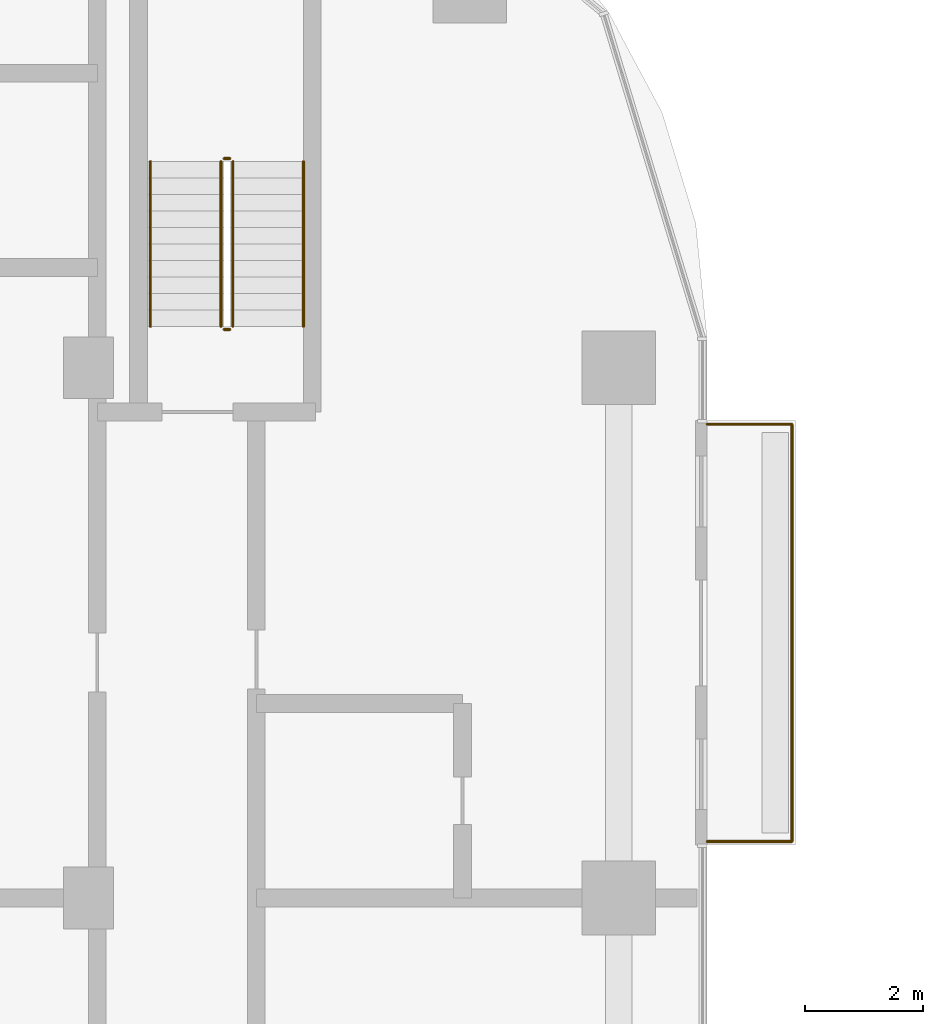
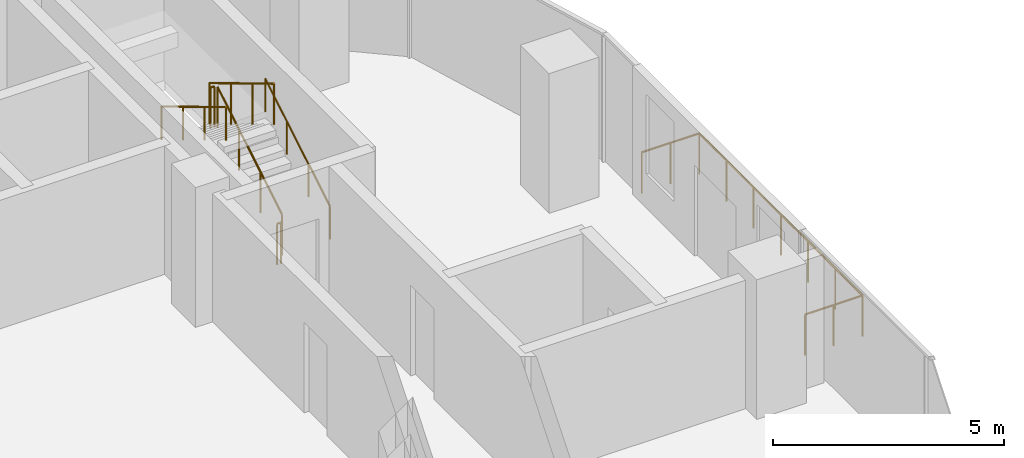
# One storey, part 21 of 21: 7 railings.
"""IFC4 building model written with IfcOpenShell, lengths in metres."""

from ifc_helpers import new_model, si_unit, direction, frame, origin, origin_2d, place, context, subcontext, project, spatial, circle, extrude, material, type_object, element, save


model = new_model("IFC4")

# Units and contexts
model_context = context("Model", 3, precision=1e-05, world=origin(), true_north=direction((0.0, 1.0)))
body_context = subcontext(model_context, "Body", "Model", "MODEL_VIEW")
ifc_project = project(units=[si_unit("LENGTHUNIT", "METRE"), si_unit("AREAUNIT", "SQUARE_METRE"), si_unit("VOLUMEUNIT", "CUBIC_METRE"), si_unit("PLANEANGLEUNIT", "RADIAN"), si_unit("MASSUNIT", "GRAM", prefix="KILO")], contexts=[model_context])

# Site, building, storey
site_placement = place(None, origin())
site = spatial("IfcSite", under=ifc_project, at=site_placement, CompositionType="ELEMENT")
building_placement = place(site_placement, origin())
building = spatial("IfcBuilding", under=site, at=building_placement, Name="Ogive Portal Towers", CompositionType="ELEMENT")
storey_placement = place(building_placement, frame((0.0, 0.0, 109.300048828125)))
storey = spatial("IfcBuildingStorey", under=building, at=storey_placement, Name="L26", CompositionType="ELEMENT", Elevation=109.300048828125)

# Railings
ifc_material_1 = material(Name="Steel S355", Category="steel")
railing_type_1 = type_object("IfcRailingType", Name="BALUSTRADE GLASS 1100", PredefinedType="BALUSTRADE", material=ifc_material_1)
railing_1_placement = place(storey_placement, frame((51.0, 58.4599609375, 0.0)))
element("IfcRailing", 1, at=railing_1_placement, inside=storey, type_object=railing_type_1, Name="A:L26:bal:S2:rail", PredefinedType="BALUSTRADE", context=body_context, shape_type="SweptSolid", body=[
    extrude(circle(Radius=0.02392578125, at=origin_2d()), frame((0.0, 0.0, 1.076171875), z_axis=(1.0, 0.0, 0.0), x_axis=(0.0, 1.0, 0.0)), (0.0, 0.0, 1.0), 1.43994140625),
    extrude(circle(Radius=0.02392578125, at=origin_2d()), frame((1.43994140625, 0.0, 1.076171875), z_axis=(0.0, 1.0, 0.0), x_axis=(-1.0, 0.0, 0.0)), (0.0, 0.0, 1.0), 7.080078125),
    extrude(circle(Radius=0.02392578125, at=origin_2d()), frame((1.43994140625, 7.080078125, 1.076171875), z_axis=(-1.0, 0.0, 0.0), x_axis=(0.0, -1.0, 0.0)), (0.0, 0.0, 1.0), 1.43994140625),
    extrude(circle(Radius=0.02099609375, at=origin_2d()), origin(), (0.0, 0.0, 1.0), 1.052001953125),
    extrude(circle(Radius=0.02099609375, at=origin_2d()), frame((0.719970703125, 0.0, 0.0)), (0.0, 0.0, 1.0), 1.052001953125),
    extrude(circle(Radius=0.02099609375, at=origin_2d()), frame((1.43994140625, 0.0, 0.0)), (0.0, 0.0, 1.0), 1.052001953125),
    extrude(circle(Radius=0.02099609375, at=origin_2d()), frame((1.43994140625, 1.179931640625, 0.0)), (0.0, 0.0, 1.0), 1.052001953125),
    extrude(circle(Radius=0.02099609375, at=origin_2d()), frame((1.43994140625, 2.360107421875, 0.0)), (0.0, 0.0, 1.0), 1.052001953125),
    extrude(circle(Radius=0.02099609375, at=origin_2d()), frame((1.43994140625, 3.5400390625, 0.0)), (0.0, 0.0, 1.0), 1.052001953125),
    extrude(circle(Radius=0.02099609375, at=origin_2d()), frame((1.43994140625, 4.719970703125, 0.0)), (0.0, 0.0, 1.0), 1.052001953125),
    extrude(circle(Radius=0.02099609375, at=origin_2d()), frame((1.43994140625, 5.900146484375, 0.0)), (0.0, 0.0, 1.0), 1.052001953125),
    extrude(circle(Radius=0.02099609375, at=origin_2d()), frame((1.43994140625, 7.080078125, 0.0)), (0.0, 0.0, 1.0), 1.052001953125),
    extrude(circle(Radius=0.02099609375, at=origin_2d()), frame((0.719970703125, 7.080078125, 0.0)), (0.0, 0.0, 1.0), 1.052001953125),
    extrude(circle(Radius=0.02099609375, at=origin_2d()), frame((0.0, 7.080078125, 0.0)), (0.0, 0.0, 1.0), 1.052001953125),
])
ifc_material_2 = material(Name="Stainless steel balustrade", Category="steel")
railing_type_2 = type_object("IfcRailingType", Name="INT-GUARD", PredefinedType="GUARDRAIL", material=ifc_material_2)
railing_2_placement = place(storey_placement, frame((42.949951171875, 67.199951171875, 0.168212890625)))
element("IfcRailing", 2, at=railing_2_placement, inside=storey, type_object=railing_type_2, Name="L26 ST-A3 stair guard 1", PredefinedType="GUARDRAIL", context=body_context, shape_type="SweptSolid", body=[
    extrude(circle(Radius=0.02392578125, at=origin_2d()), frame((0.0, 0.0, 1.076171875), z_axis=(0.0, 0.857275202839, 0.514858452973), x_axis=(-1.0, 0.0, 0.0)), (0.0, 0.0, 1.0), 3.26611328125),
    extrude(circle(Radius=0.02099609375, at=origin_2d()), origin(), (0.0, 0.0, 1.0), 1.052001953125),
    extrude(circle(Radius=0.02099609375, at=origin_2d()), frame((0.0, 0.933349609375, 0.560546875)), (0.0, 0.0, 1.0), 1.052001953125),
    extrude(circle(Radius=0.02099609375, at=origin_2d()), frame((0.0, 1.86669921875, 1.12109375)), (0.0, 0.0, 1.0), 1.052001953125),
    extrude(circle(Radius=0.02099609375, at=origin_2d()), frame((0.0, 2.800048828125, 1.681640625)), (0.0, 0.0, 1.0), 1.052001953125),
])
railing_3_placement = place(storey_placement, frame((42.89990234375, 70.050048828125, 1.849853515625)))
element("IfcRailing", 3, at=railing_3_placement, inside=storey, type_object=railing_type_2, Name="L26 ST-A3 stair guard 2", PredefinedType="GUARDRAIL", context=body_context, shape_type="SweptSolid", body=[
    extrude(circle(Radius=0.02392578125, at=origin_2d()), frame((0.0, 0.0, 1.076171875), z_axis=(-1.0, 0.0, 0.0), x_axis=(0.0, -1.0, 0.0)), (0.0, 0.0, 1.0), 0.099853515625),
    extrude(circle(Radius=0.02099609375, at=origin_2d()), origin(), (0.0, 0.0, 1.0), 1.052001953125),
    extrude(circle(Radius=0.02099609375, at=origin_2d()), frame((-0.099853515625, 0.0, 0.0)), (0.0, 0.0, 1.0), 1.052001953125),
])
railing_4_placement = place(storey_placement, frame((42.75, 70.0, 2.01806640625)))
element("IfcRailing", 4, at=railing_4_placement, inside=storey, type_object=railing_type_2, Name="L26 ST-A3 stair guard 3", PredefinedType="GUARDRAIL", context=body_context, shape_type="SweptSolid", body=[
    extrude(circle(Radius=0.02392578125, at=origin_2d()), frame((0.0, 0.0, 1.076171875), z_axis=(0.0, -0.857242210791, 0.514913383045), x_axis=(1.0, 0.0, 0.0)), (0.0, 0.0, 1.0), 3.266357421875),
    extrude(circle(Radius=0.02099609375, at=origin_2d()), origin(), (0.0, 0.0, 1.0), 1.052001953125),
    extrude(circle(Radius=0.02099609375, at=origin_2d()), frame((0.0, -0.933349609375, 0.560546875)), (0.0, 0.0, 1.0), 1.052001953125),
    extrude(circle(Radius=0.02099609375, at=origin_2d()), frame((0.0, -1.86669921875, 1.121337890625)), (0.0, 0.0, 1.0), 1.052001953125),
    extrude(circle(Radius=0.02099609375, at=origin_2d()), frame((0.0, -2.800048828125, 1.681884765625)), (0.0, 0.0, 1.0), 1.052001953125),
])
railing_5_placement = place(storey_placement, frame((42.89990234375, 67.14990234375, 0.0)))
element("IfcRailing", 5, at=railing_5_placement, inside=storey, type_object=railing_type_2, Name="L26 ST-A3 stair guard 4", PredefinedType="GUARDRAIL", context=body_context, shape_type="SweptSolid", body=[
    extrude(circle(Radius=0.02392578125, at=origin_2d()), frame((0.0, 0.0, 1.076171875), z_axis=(-1.0, 0.0, 0.0), x_axis=(0.0, -1.0, 0.0)), (0.0, 0.0, 1.0), 0.099853515625),
    extrude(circle(Radius=0.02099609375, at=origin_2d()), origin(), (0.0, 0.0, 1.0), 1.052001953125),
    extrude(circle(Radius=0.02099609375, at=origin_2d()), frame((-0.099853515625, 0.0, 0.0)), (0.0, 0.0, 1.0), 1.052001953125),
])
ifc_material_3 = material(Name="Stainless steel handrail", Category="steel")
railing_type_3 = type_object("IfcRailingType", Name="INT-HANDRAIL", PredefinedType="HANDRAIL", material=ifc_material_3)
railing_6_placement = place(storey_placement, frame((44.14990234375, 67.199951171875, 0.168212890625)))
element("IfcRailing", 6, at=railing_6_placement, inside=storey, type_object=railing_type_3, Name="L26 ST-A3 stair handrail 1", PredefinedType="HANDRAIL", context=body_context, shape_type="SweptSolid", body=[
    extrude(circle(Radius=0.02392578125, at=origin_2d()), frame((0.0, 0.0, 0.8759765625), z_axis=(0.0, 0.857275202839, 0.514858452973), x_axis=(-1.0, 0.0, 0.0)), (0.0, 0.0, 1.0), 3.26611328125),
    extrude(circle(Radius=0.02099609375, at=origin_2d()), origin(), (0.0, 0.0, 1.0), 0.851806640625),
    extrude(circle(Radius=0.02099609375, at=origin_2d()), frame((0.0, 0.933349609375, 0.560546875)), (0.0, 0.0, 1.0), 0.851806640625),
    extrude(circle(Radius=0.02099609375, at=origin_2d()), frame((0.0, 1.86669921875, 1.12109375)), (0.0, 0.0, 1.0), 0.851806640625),
    extrude(circle(Radius=0.02099609375, at=origin_2d()), frame((0.0, 2.800048828125, 1.681640625)), (0.0, 0.0, 1.0), 0.851806640625),
])
railing_7_placement = place(storey_placement, frame((41.550048828125, 70.0, 2.01806640625)))
element("IfcRailing", 7, at=railing_7_placement, inside=storey, type_object=railing_type_3, Name="L26 ST-A3 stair handrail 2", PredefinedType="HANDRAIL", context=body_context, shape_type="SweptSolid", body=[
    extrude(circle(Radius=0.02392578125, at=origin_2d()), frame((0.0, 0.0, 0.8759765625), z_axis=(0.0, -0.857242210791, 0.514913383045), x_axis=(1.0, 0.0, 0.0)), (0.0, 0.0, 1.0), 3.266357421875),
    extrude(circle(Radius=0.02099609375, at=origin_2d()), origin(), (0.0, 0.0, 1.0), 0.851806640625),
    extrude(circle(Radius=0.02099609375, at=origin_2d()), frame((0.0, -0.933349609375, 0.560546875)), (0.0, 0.0, 1.0), 0.851806640625),
    extrude(circle(Radius=0.02099609375, at=origin_2d()), frame((0.0, -1.86669921875, 1.121337890625)), (0.0, 0.0, 1.0), 0.851806640625),
    extrude(circle(Radius=0.02099609375, at=origin_2d()), frame((0.0, -2.800048828125, 1.681884765625)), (0.0, 0.0, 1.0), 0.851806640625),
])

save(model, "model.ifc")
